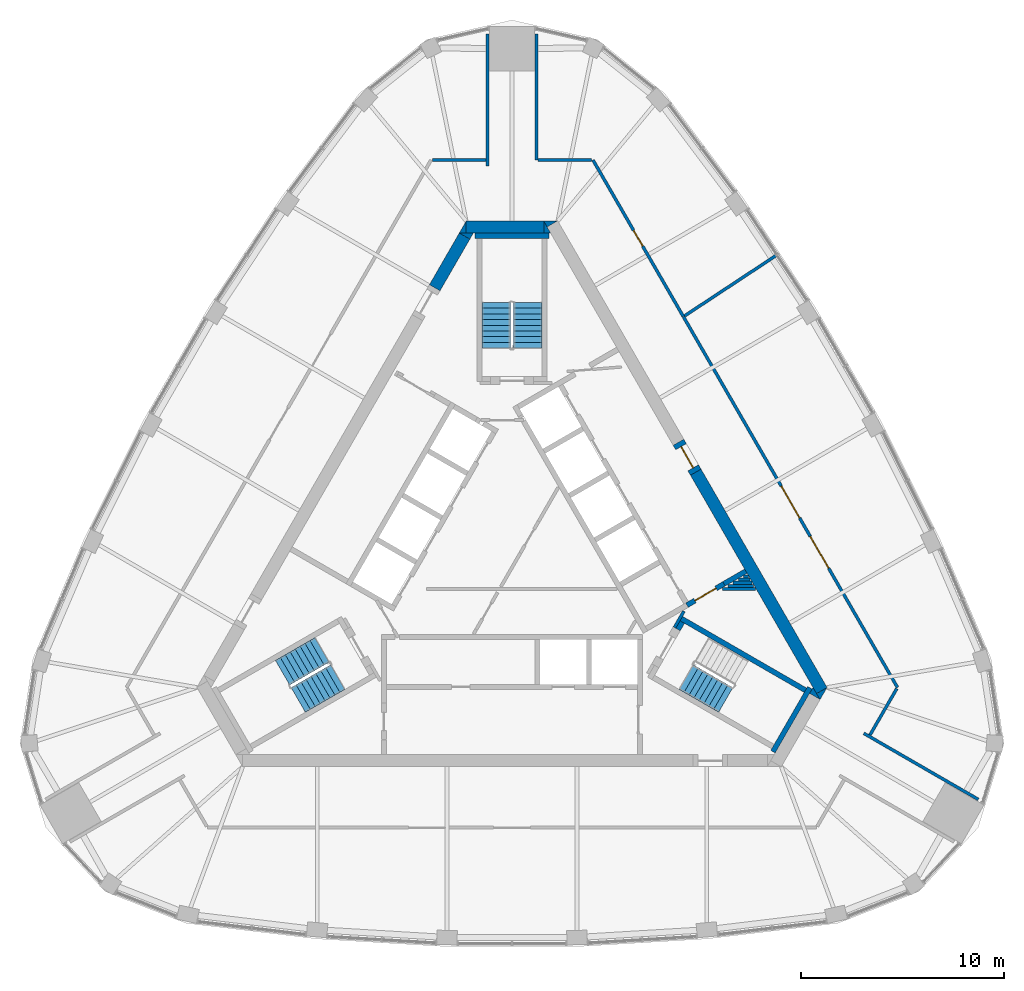
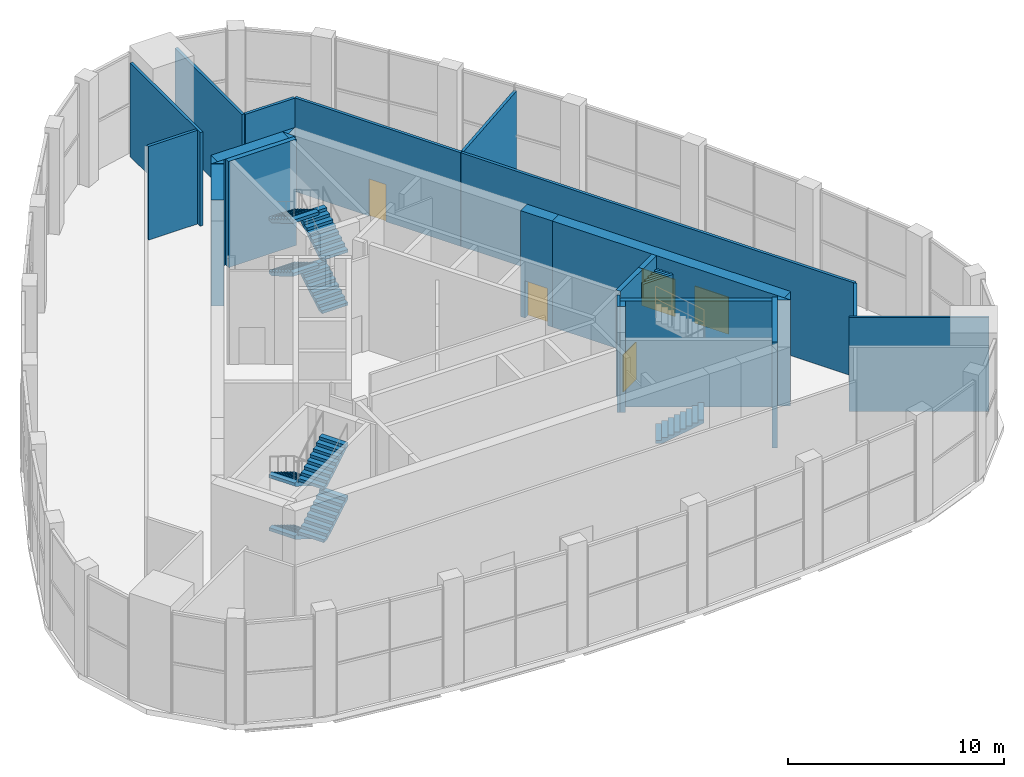
# One storey, part 12 of 15: 31 walls, 9 stair flights, 5 doors, 5 openings, 3 elements without a shape of their own.
"""IFC4 building model written with IfcOpenShell, lengths in metres."""

from ifc_helpers import new_model, si_unit, direction, frame, frame_2d, origin, place, context, subcontext, project, spatial, polyline, rectangle, outline, extrude, material, layer, layer_set, type_object, element, fill, aggregate, save


model = new_model("IFC4")

# Units and contexts
model_context = context("Model", 3, precision=1e-05, world=origin(), true_north=direction((0.0, 1.0)))
body_context = subcontext(model_context, "Body", "Model", "MODEL_VIEW")
ifc_project = project(units=[si_unit("LENGTHUNIT", "METRE"), si_unit("AREAUNIT", "SQUARE_METRE"), si_unit("VOLUMEUNIT", "CUBIC_METRE"), si_unit("PLANEANGLEUNIT", "RADIAN"), si_unit("MASSUNIT", "GRAM", prefix="KILO")], contexts=[model_context])

# Site, building, storey
site_placement = place(None, origin())
site = spatial("IfcSite", under=ifc_project, at=site_placement, CompositionType="ELEMENT")
building_placement = place(site_placement, origin())
building = spatial("IfcBuilding", under=site, at=building_placement, Name="Mestral Congress Tower", CompositionType="ELEMENT")
storey_placement = place(building_placement, frame((0.0, 0.0, 321.60009765625)))
storey = spatial("IfcBuildingStorey", under=building, at=storey_placement, Name="L75", CompositionType="ELEMENT", Elevation=321.60009765625)

# Walls
ifc_material_1 = material(Name="Fire-rated board partition")
ifc_layer_1 = layer(ifc_material_1, 0.14990234375)
ifc_layer_set_1 = layer_set([ifc_layer_1], Name="Fire-rated board partition")
wall_type_1 = type_object("IfcWallType", Name="Core partition 150", PredefinedType="PARTITIONING", material=ifc_layer_set_1)
wall_1_placement = place(storey_placement, frame((10.3623046875, -1.5, 0.0), z_axis=(0.0, 0.0, 1.0), x_axis=(1.0, 0.0, 0.0)))
element("IfcWall", 1, at=wall_1_placement, inside=storey, type_object=wall_type_1, Name="L75 core wall", PredefinedType="PARTITIONING", context=body_context, shape_type="SweptSolid", body=[
    extrude(rectangle(XDim=1.60986328125, YDim=0.14990234375, at=frame_2d((0.804931640625, 0.0))), origin(), (0.0, 0.0, 1.0), 5.2998046875),
])
wall_2_placement = place(storey_placement, frame((10.6220703125, -1.35009765625, 0.0), z_axis=(0.0, 0.0, 1.0), x_axis=(1.0, 0.0, 0.0)))
element("IfcWall", 2, at=wall_2_placement, inside=storey, type_object=wall_type_1, Name="L75 core wall", PredefinedType="PARTITIONING", context=body_context, shape_type="SweptSolid", body=[
    extrude(rectangle(XDim=1.263427734375, YDim=0.14990234375, at=frame_2d((0.6318359375, 0.0))), origin(), (0.0, 0.0, 1.0), 5.2998046875),
])
wall_3_placement = place(storey_placement, frame((10.881591796875, -1.199951171875, 0.0), z_axis=(0.0, 0.0, 1.0), x_axis=(1.0, 0.0, 0.0)))
element("IfcWall", 3, at=wall_3_placement, inside=storey, type_object=wall_type_1, Name="L75 core wall", PredefinedType="PARTITIONING", context=body_context, shape_type="SweptSolid", body=[
    extrude(rectangle(XDim=0.91748046875, YDim=0.14990234375, at=frame_2d((0.458740234375, 0.0))), origin(), (0.0, 0.0, 1.0), 5.2998046875),
])
wall_4_placement = place(storey_placement, frame((11.71240234375, -1.050048828125, 0.0), z_axis=(0.0, 0.0, 1.0), x_axis=(-1.0, 0.0, 0.0)))
element("IfcWall", 4, at=wall_4_placement, inside=storey, type_object=wall_type_1, Name="L75 core wall", PredefinedType="PARTITIONING", context=body_context, shape_type="SweptSolid", body=[
    extrude(rectangle(XDim=0.57080078125, YDim=0.14990234375, at=frame_2d((0.285400390625, 0.0))), origin(), (0.0, 0.0, 1.0), 5.2998046875),
])
wall_5_placement = place(storey_placement, frame((11.4013671875, -0.89990234375, 0.0), z_axis=(0.0, 0.0, 1.0), x_axis=(1.0, 0.0, 0.0)))
element("IfcWall", 5, at=wall_5_placement, inside=storey, type_object=wall_type_1, Name="L75 core wall", PredefinedType="PARTITIONING", context=body_context, shape_type="SweptSolid", body=[
    extrude(rectangle(XDim=0.224365234375, YDim=0.14990234375, at=frame_2d((0.1123046875, 0.0))), origin(), (0.0, 0.0, 1.0), 5.2998046875),
])
ifc_material_2 = material(Name="Concrete C60/75", Category="concrete")
ifc_layer_2 = layer(ifc_material_2, 0.60009765625)
ifc_layer_set_2 = layer_set([ifc_layer_2], Name="Concrete C60/75")
wall_type_2 = type_object("IfcWallType", Name="Core wall RC 600", PredefinedType="SOLIDWALL", material=ifc_layer_set_2)
wall_6_placement = place(storey_placement, frame((9.0419921875, 4.23876953125, 0.0), z_axis=(0.0, 0.0, 1.0), x_axis=(0.500005785455, -0.866022063525, 0.0)))
element("IfcWall", 6, at=wall_6_placement, inside=storey, type_object=wall_type_2, Name="L75 core wall", PredefinedType="SOLIDWALL", context=body_context, shape_type="SweptSolid", body=[
    extrude(rectangle(XDim=12.406494140625, YDim=0.60009765625, at=frame_2d((6.203125, 0.0))), origin(), (0.0, 0.0, 1.0), 6.0),
])
placement = place(storey_placement, origin())
element("IfcWall", 7, at=placement, inside=storey, type_object=wall_type_2, Name="L75 core wall", PredefinedType="SOLIDWALL", context=body_context, shape_type="SweptSolid", body=[
    extrude(outline(polyline([(15.155517578125, -6.949951171875), (14.986572265625, -6.6572265625), (15.493408203125, -6.364501953125), (15.155517578125, -6.949951171875)])), origin(), (0.0, 0.0, 1.0), 6.0),
])
element("IfcWall", 8, at=placement, inside=storey, type_object=wall_type_2, Name="L75 core wall", PredefinedType="SOLIDWALL", context=body_context, shape_type="SweptSolid", body=[
    extrude(outline(polyline([(14.80908203125, -6.35009765625), (15.147216796875, -6.935791015625), (14.639892578125, -6.642822265625), (14.80908203125, -6.35009765625)])), origin(), (0.0, 0.0, 1.0), 6.0),
])
element("IfcWall", 9, at=placement, inside=storey, type_object=wall_type_2, Name="L75 core wall", PredefinedType="SOLIDWALL", context=body_context, shape_type="SweptSolid", body=[
    extrude(outline(polyline([(1.558837890625, 16.60009765625), (2.23486328125, 16.60009765625), (1.727783203125, 16.307373046875), (1.558837890625, 16.60009765625)])), origin(), (0.0, 0.0, 1.0), 6.0),
])
wall_10_placement = place(storey_placement, frame((-2.258056640625, 16.300048828125, 0.0), z_axis=(0.0, 0.0, 1.0), x_axis=(1.0, 0.0, 0.0)))
element("IfcWall", 10, at=wall_10_placement, inside=storey, type_object=wall_type_2, Name="L75 core wall", PredefinedType="SOLIDWALL", context=body_context, shape_type="SweptSolid", body=[
    extrude(rectangle(XDim=3.8232421875, YDim=0.60009765625, at=frame_2d((1.91162109375, 0.0))), origin(), (0.0, 0.0, 1.0), 6.0),
])
element("IfcWall", 11, at=placement, inside=storey, type_object=wall_type_2, Name="L75 core wall", PredefinedType="SOLIDWALL", context=body_context, shape_type="SweptSolid", body=[
    extrude(outline(polyline([(1.9052734375, 16.0), (1.5673828125, 16.0), (1.5673828125, 16.58544921875), (1.9052734375, 16.0)])), origin(), (0.0, 0.0, 1.0), 6.0),
])
element("IfcWall", 12, at=placement, inside=storey, type_object=wall_type_2, Name="L75 core wall", PredefinedType="SOLIDWALL", context=body_context, shape_type="SweptSolid", body=[
    extrude(outline(polyline([(-2.59814453125, 16.0), (-2.260009765625, 16.58544921875), (-2.260009765625, 16.0), (-2.59814453125, 16.0)])), origin(), (0.0, 0.0, 1.0), 6.0),
])
wall_13_placement = place(storey_placement, frame((-2.335205078125, 15.85546875, 0.0), z_axis=(0.0, 0.0, 1.0), x_axis=(-0.499960127962, -0.866048422692, 0.0)))
element("IfcWall", 13, at=wall_13_placement, inside=storey, type_object=wall_type_2, Name="L75 core wall", PredefinedType="SOLIDWALL", context=body_context, shape_type="SweptSolid", body=[
    extrude(rectangle(XDim=2.934326171875, YDim=0.60009765625, at=frame_2d((1.46728515625, 0.0))), origin(), (0.0, 0.0, 1.0), 6.0),
])
element("IfcWall", 14, at=placement, inside=storey, type_object=wall_type_2, Name="L75 core wall", PredefinedType="SOLIDWALL", context=body_context, shape_type="SweptSolid", body=[
    extrude(outline(polyline([(-1.9052734375, 16.0), (-2.07421875, 15.707275390625), (-2.581298828125, 16.0), (-1.9052734375, 16.0)])), origin(), (0.0, 0.0, 1.0), 6.0),
])

# Wall, opening, door
wall_15_placement = place(storey_placement, frame((8.19189453125, 5.711181640625, 0.0), z_axis=(0.0, 0.0, 1.0), x_axis=(0.500062241894, -0.865989465428, 0.0)))
wall_15 = element("IfcWall", 15, at=wall_15_placement, inside=storey, type_object=wall_type_2, Name="L75 door wall", PredefinedType="SOLIDWALL", context=body_context, shape_type="SweptSolid", body=[
    extrude(rectangle(XDim=1.699951171875, YDim=0.60009765625, at=frame_2d((0.85009765625, 0.0))), origin(), (0.0, 0.0, 1.0), 6.0),
])
opening_1_placement = place(wall_15_placement, frame((0.25, 0.0, 0.0)))
opening_1 = element("IfcOpeningElement", 16, at=opening_1_placement, cuts=wall_15, Name="Opening XDL", PredefinedType="OPENING", context=body_context, shape_type="SweptSolid", body=[
    extrude(rectangle(XDim=1.199951171875, YDim=2.10009765625, at=frame_2d((0.60009765625, 1.050048828125))), frame((0.0, 0.31005859375, 0.0), z_axis=(0.0, -1.0, 0.0), x_axis=(1.0, 0.0, 0.0)), (0.0, 0.0, 1.0), 0.6201171875),
])
ifc_material_3 = material(Name="Fire-rated steel door set", Category="steel")
door_type_1 = type_object("IfcDoorType", Name="Core door XD 1200x2100", OperationType="SINGLE_SWING_LEFT", PredefinedType="DOOR", material=ifc_material_3)
door_1_placement = place(opening_1_placement, origin())
door_1 = element("IfcDoor", 17, at=door_1_placement, inside=storey, type_object=door_type_1, Name="Door XDL", OperationType="SINGLE_SWING_LEFT", OverallHeight=2.10009765625, OverallWidth=1.199951171875, PredefinedType="DOOR", context=body_context, shape_type="SweptSolid", body=[
    extrude(rectangle(XDim=1.199951171875, YDim=2.10009765625, at=frame_2d((0.60009765625, 1.050048828125))), frame((0.0, 0.02490234375, 0.0), z_axis=(0.0, -1.0, 0.0), x_axis=(1.0, 0.0, 0.0)), (0.0, 0.0, 1.0), 0.050048828125),
])
fill(opening_1, door_1)

# Wall
ifc_layer_3 = layer(ifc_material_2, 0.25)
ifc_layer_set_3 = layer_set([ifc_layer_3], Name="Concrete C60/75")
wall_type_3 = type_object("IfcWallType", Name="Shaft wall RC 250", PredefinedType="SOLIDWALL", material=ifc_layer_set_3)
wall_16_placement = place(storey_placement, frame((11.507080078125, -0.631103515625, 0.0), z_axis=(0.0, 0.0, 1.0), x_axis=(-0.866025525965, -0.499999788377, 0.0)))
element("IfcWall", 18, at=wall_16_placement, inside=storey, type_object=wall_type_3, Name="L75 core wall", PredefinedType="SOLIDWALL", context=body_context, shape_type="SweptSolid", body=[
    extrude(rectangle(XDim=1.24462890625, YDim=0.25, at=frame_2d((0.622314453125, 0.0))), origin(), (0.0, 0.0, 1.0), 6.0),
])

# Wall, opening, door
wall_17_placement = place(storey_placement, frame((10.42919921875, -1.25341796875, 0.0), z_axis=(0.0, 0.0, 1.0), x_axis=(-0.866009402589, -0.500027713859, 0.0)))
wall_17 = element("IfcWall", 19, at=wall_17_placement, inside=storey, type_object=wall_type_3, Name="L75 door wall", PredefinedType="SOLIDWALL", context=body_context, shape_type="SweptSolid", body=[
    extrude(rectangle(XDim=2.10009765625, YDim=0.25, at=frame_2d((1.050048828125, 0.0))), origin(), (0.0, 0.0, 1.0), 6.0),
])
opening_2_placement = place(wall_17_placement, frame((0.449951171875, 0.0, 0.0)))
opening_2 = element("IfcOpeningElement", 20, at=opening_2_placement, cuts=wall_17, Name="Opening LB1-PX10", PredefinedType="OPENING", context=body_context, shape_type="SweptSolid", body=[
    extrude(rectangle(XDim=1.199951171875, YDim=2.10009765625, at=frame_2d((0.60009765625, 1.050048828125))), frame((0.0, 0.135009765625, 0.0), z_axis=(0.0, -1.0, 0.0), x_axis=(1.0, 0.0, 0.0)), (0.0, 0.0, 1.0), 0.27001953125),
])
door_type_2 = type_object("IfcDoorType", Name="Core door LB 1200x2100", OperationType="SINGLE_SWING_LEFT", PredefinedType="DOOR", material=ifc_material_3)
door_2_placement = place(opening_2_placement, origin())
door_2 = element("IfcDoor", 21, at=door_2_placement, inside=storey, type_object=door_type_2, Name="Door LB1-PX10", OperationType="SINGLE_SWING_LEFT", OverallHeight=2.10009765625, OverallWidth=1.199951171875, PredefinedType="DOOR", context=body_context, shape_type="SweptSolid", body=[
    extrude(rectangle(XDim=1.199951171875, YDim=2.10009765625, at=frame_2d((0.60009765625, 1.050048828125))), frame((0.0, 0.02490234375, 0.0), z_axis=(0.0, -1.0, 0.0), x_axis=(1.0, 0.0, 0.0)), (0.0, 0.0, 1.0), 0.050048828125),
])
fill(opening_2, door_2)

# Wall
ifc_layer_4 = layer(ifc_material_2, 0.14990234375)
ifc_layer_set_4 = layer_set([ifc_layer_4], Name="Concrete C60/75")
wall_type_4 = type_object("IfcWallType", Name="Shaft wall RC 250 door-wall 150", PredefinedType="SOLIDWALL", material=ifc_layer_set_4)
wall_18_placement = place(storey_placement, frame((8.459228515625, -2.59912109375, 0.0), z_axis=(0.0, 0.0, 1.0), x_axis=(-0.500041054325, -0.866001699761, 0.0)))
element("IfcWall", 22, at=wall_18_placement, inside=storey, type_object=wall_type_4, Name="L75 core wall", PredefinedType="PARTITIONING", context=body_context, shape_type="SweptSolid", body=[
    extrude(rectangle(XDim=0.9287109375, YDim=0.14990234375, at=frame_2d((0.46435546875, 0.0))), origin(), (0.0, 0.0, 1.0), 6.0),
])

# Wall, opening, door
ifc_layer_5 = layer(ifc_material_1, 0.14990234375)
ifc_layer_set_5 = layer_set([ifc_layer_5], Name="Fire-rated board partition")
wall_type_5 = type_object("IfcWallType", Name="Special partition 150 EI 120", PredefinedType="PARTITIONING", material=ifc_layer_set_5)
wall_19_placement = place(storey_placement, frame((8.428955078125, 11.900634765625, 0.0), z_axis=(0.0, 0.0, 1.0), x_axis=(-0.500002153468, 0.866024160475, 0.0)))
wall_19 = element("IfcWall", 23, at=wall_19_placement, inside=storey, type_object=wall_type_5, Name="Partition", PredefinedType="PARTITIONING", context=body_context, shape_type="SweptSolid", body=[
    extrude(rectangle(XDim=8.890625, YDim=0.14990234375, at=frame_2d((4.4453125, 0.0))), origin(), (0.0, 0.0, 1.0), 5.2998046875),
])
opening_3_placement = place(wall_19_placement, frame((3.995361328125, 0.0, 0.0)))
opening_3 = element("IfcOpeningElement", 24, at=opening_3_placement, cuts=wall_19, Name="Opening T75-007", PredefinedType="OPENING", context=body_context, shape_type="SweptSolid", body=[
    extrude(rectangle(XDim=0.89990234375, YDim=2.10009765625, at=frame_2d((0.449951171875, 1.050048828125))), frame((0.0, 0.0849609375, 0.0), z_axis=(0.0, -1.0, 0.0), x_axis=(1.0, 0.0, 0.0)), (0.0, 0.0, 1.0), 0.169921875),
])
ifc_material_4 = material(Name="Timber door set", Category="wood")
door_type_3 = type_object("IfcDoorType", Name="Room door 900x2100", OperationType="SINGLE_SWING_LEFT", PredefinedType="DOOR", material=ifc_material_4)
door_3_placement = place(opening_3_placement, origin())
door_3 = element("IfcDoor", 25, at=door_3_placement, inside=storey, type_object=door_type_3, Name="Door T75-007", OperationType="SINGLE_SWING_RIGHT", OverallHeight=2.10009765625, OverallWidth=0.89990234375, PredefinedType="DOOR", context=body_context, shape_type="SweptSolid", body=[
    extrude(rectangle(XDim=0.89990234375, YDim=2.10009765625, at=frame_2d((0.449951171875, 1.050048828125))), frame((0.0, 0.02490234375, 0.0), z_axis=(0.0, -1.0, 0.0), x_axis=(1.0, 0.0, 0.0)), (0.0, 0.0, 1.0), 0.050048828125),
])
fill(opening_3, door_3)

# Walls
wall_20_placement = place(storey_placement, frame((1.199951171875, 25.805419921875, 0.0), z_axis=(0.0, 0.0, 1.0), x_axis=(0.0, -1.0, 0.0)))
element("IfcWall", 26, at=wall_20_placement, inside=storey, type_object=wall_type_5, Name="Partition", PredefinedType="PARTITIONING", context=body_context, shape_type="SweptSolid", body=[
    extrude(rectangle(XDim=6.205322265625, YDim=0.14990234375, at=frame_2d((3.1025390625, 0.0))), origin(), (0.0, 0.0, 1.0), 5.2998046875),
])
wall_21_placement = place(storey_placement, frame((8.500732421875, 11.93603515625, 0.0), z_axis=(0.0, 0.0, 1.0), x_axis=(0.834652716189, 0.550776582071, 0.0)))
element("IfcWall", 27, at=wall_21_placement, inside=storey, type_object=wall_type_5, Name="Partition", PredefinedType="PARTITIONING", context=body_context, shape_type="SweptSolid", body=[
    extrude(rectangle(XDim=5.493896484375, YDim=0.14990234375, at=frame_2d((2.7470703125, 0.0))), origin(), (0.0, 0.0, 1.0), 5.2998046875),
])
wall_22_placement = place(storey_placement, frame((1.280029296875, 19.60009765625, 0.0), z_axis=(0.0, 0.0, 1.0), x_axis=(1.0, 0.0, 0.0)))
element("IfcWall", 28, at=wall_22_placement, inside=storey, type_object=wall_type_5, Name="Partition", PredefinedType="PARTITIONING", context=body_context, shape_type="SweptSolid", body=[
    extrude(rectangle(XDim=2.6337890625, YDim=0.14990234375, at=frame_2d((1.31689453125, 0.0))), origin(), (0.0, 0.0, 1.0), 5.2998046875),
])

# Wall, openings, doors
ifc_layer_6 = layer(ifc_material_1, 0.14990234375)
ifc_layer_set_6 = layer_set([ifc_layer_6], Name="Fire-rated board partition")
wall_type_6 = type_object("IfcWallType", Name="Special partition 150 EI 180", PredefinedType="PARTITIONING", material=ifc_layer_set_6)
wall_23_placement = place(storey_placement, frame((18.966064453125, -6.35009765625, 0.0), z_axis=(0.0, 0.0, 1.0), x_axis=(-0.499998353063, 0.866026354642, 0.0)))
wall_23 = element("IfcWall", 29, at=wall_23_placement, inside=storey, type_object=wall_type_6, Name="Partition", PredefinedType="PARTITIONING", context=body_context, shape_type="SweptSolid", body=[
    extrude(rectangle(XDim=21.064453125, YDim=0.14990234375, at=frame_2d((10.5322265625, 0.0))), origin(), (0.0, 0.0, 1.0), 5.2998046875),
])
opening_4_placement = place(wall_23_placement, frame((9.632080078125, 0.0, 0.0)))
opening_4 = element("IfcOpeningElement", 30, at=opening_4_placement, cuts=wall_23, Name="Opening T75-005", PredefinedType="OPENING", context=body_context, shape_type="SweptSolid", body=[
    extrude(rectangle(XDim=1.800048828125, YDim=2.10009765625, at=frame_2d((0.89990234375, 1.050048828125))), frame((0.0, 0.0849609375, 0.0), z_axis=(0.0, -1.0, 0.0), x_axis=(1.0, 0.0, 0.0)), (0.0, 0.0, 1.0), 0.169921875),
])
opening_5_placement = place(wall_23_placement, frame((6.778564453125, 0.0, 0.0)))
opening_5 = element("IfcOpeningElement", 31, at=opening_5_placement, cuts=wall_23, Name="Opening T75-006", PredefinedType="OPENING", context=body_context, shape_type="SweptSolid", body=[
    extrude(rectangle(XDim=1.800048828125, YDim=2.10009765625, at=frame_2d((0.89990234375, 1.050048828125))), frame((0.0, 0.0849609375, 0.0), z_axis=(0.0, -1.0, 0.0), x_axis=(1.0, 0.0, 0.0)), (0.0, 0.0, 1.0), 0.169921875),
])
door_type_4 = type_object("IfcDoorType", Name="Assembly double door 1800x2100", OperationType="DOUBLE_DOOR_SINGLE_SWING", PredefinedType="DOOR", material=ifc_material_3)
door_4_placement = place(opening_4_placement, origin())
door_4 = element("IfcDoor", 32, at=door_4_placement, inside=storey, type_object=door_type_4, Name="Door T75-005", OperationType="DOUBLE_DOOR_SINGLE_SWING", OverallHeight=2.10009765625, OverallWidth=1.800048828125, PredefinedType="DOOR", context=body_context, shape_type="SweptSolid", body=[
    extrude(rectangle(XDim=1.800048828125, YDim=2.10009765625, at=frame_2d((0.89990234375, 1.050048828125))), frame((0.0, 0.02490234375, 0.0), z_axis=(0.0, -1.0, 0.0), x_axis=(1.0, 0.0, 0.0)), (0.0, 0.0, 1.0), 0.050048828125),
])
fill(opening_4, door_4)
door_5_placement = place(opening_5_placement, origin())
door_5 = element("IfcDoor", 33, at=door_5_placement, inside=storey, type_object=door_type_4, Name="Door T75-006", OperationType="DOUBLE_DOOR_SINGLE_SWING", OverallHeight=2.10009765625, OverallWidth=1.800048828125, PredefinedType="DOOR", context=body_context, shape_type="SweptSolid", body=[
    extrude(rectangle(XDim=1.800048828125, YDim=2.10009765625, at=frame_2d((0.89990234375, 1.050048828125))), frame((0.0, 0.02490234375, 0.0), z_axis=(0.0, -1.0, 0.0), x_axis=(1.0, 0.0, 0.0)), (0.0, 0.0, 1.0), 0.050048828125),
])
fill(opening_5, door_5)

# Walls
wall_24_placement = place(storey_placement, frame((-1.199951171875, 19.300048828125, 0.0), z_axis=(0.0, 0.0, 1.0), x_axis=(0.0, 1.0, 0.0)))
element("IfcWall", 34, at=wall_24_placement, inside=storey, type_object=wall_type_6, Name="Partition", PredefinedType="PARTITIONING", context=body_context, shape_type="SweptSolid", body=[
    extrude(rectangle(XDim=6.50537109375, YDim=0.14990234375, at=frame_2d((3.252685546875, 0.0))), origin(), (0.0, 0.0, 1.0), 5.2998046875),
])
wall_25_placement = place(storey_placement, frame((17.314208984375, -8.61083984375, 0.0), z_axis=(0.0, 0.0, 1.0), x_axis=(0.866040594951, -0.499973687205, 0.0)))
element("IfcWall", 35, at=wall_25_placement, inside=storey, type_object=wall_type_6, Name="Partition", PredefinedType="PARTITIONING", context=body_context, shape_type="SweptSolid", body=[
    extrude(rectangle(XDim=6.505126953125, YDim=0.14990234375, at=frame_2d((3.25244140625, 0.0))), origin(), (0.0, 0.0, 1.0), 5.2998046875),
])
wall_26_placement = place(storey_placement, frame((-3.913818359375, 19.60009765625, 0.0), z_axis=(0.0, 0.0, 1.0), x_axis=(1.0, 0.0, 0.0)))
element("IfcWall", 36, at=wall_26_placement, inside=storey, type_object=wall_type_6, Name="Partition", PredefinedType="PARTITIONING", context=body_context, shape_type="SweptSolid", body=[
    extrude(rectangle(XDim=2.6337890625, YDim=0.14990234375, at=frame_2d((1.31689453125, 0.0))), origin(), (0.0, 0.0, 1.0), 5.2998046875),
])
wall_27_placement = place(storey_placement, frame((18.930908203125, -6.41064453125, 0.0), z_axis=(0.0, 0.0, 1.0), x_axis=(-0.500027377864, -0.86600959659, 0.0)))
element("IfcWall", 37, at=wall_27_placement, inside=storey, type_object=wall_type_6, Name="Partition", PredefinedType="PARTITIONING", context=body_context, shape_type="SweptSolid", body=[
    extrude(rectangle(XDim=2.633544921875, YDim=0.14990234375, at=frame_2d((1.31689453125, 0.0))), origin(), (0.0, 0.0, 1.0), 5.2998046875),
])
ifc_layer_7 = layer(ifc_material_2, 0.25)
ifc_layer_set_7 = layer_set([ifc_layer_7], Name="Concrete C60/75")
wall_type_7 = type_object("IfcWallType", Name="Stair wall RC 250", PredefinedType="SOLIDWALL", material=ifc_layer_set_7)
wall_28_placement = place(storey_placement, frame((12.839599609375, -9.510986328125, 0.0), z_axis=(0.0, 0.0, 1.0), x_axis=(0.500048121057, 0.865997619297, 0.0)))
element("IfcWall", 38, at=wall_28_placement, inside=storey, type_object=wall_type_7, Name="L75 core wall", PredefinedType="SOLIDWALL", context=body_context, shape_type="SweptSolid", body=[
    extrude(rectangle(XDim=3.634033203125, YDim=0.25, at=frame_2d((1.81689453125, 0.0))), origin(), (0.0, 0.0, 1.0), 6.0),
])
wall_29_placement = place(storey_placement, frame((8.33447265625, -2.96435546875, 0.0), z_axis=(0.0, 0.0, 1.0), x_axis=(0.866016039709, -0.500016218704, 0.0)))
element("IfcWall", 39, at=wall_29_placement, inside=storey, type_object=wall_type_7, Name="L75 core wall", PredefinedType="SOLIDWALL", context=body_context, shape_type="SweptSolid", body=[
    extrude(rectangle(XDim=7.050048828125, YDim=0.25, at=frame_2d((3.52490234375, 0.0))), origin(), (0.0, 0.0, 1.0), 6.0),
])
wall_30_placement = place(storey_placement, frame((8.167724609375, -3.503173828125, 0.0), z_axis=(0.0, 0.0, 1.0), x_axis=(0.49972245349, 0.866185586049, 0.0)))
element("IfcWall", 40, at=wall_30_placement, inside=storey, type_object=wall_type_7, Name="L75 core wall", PredefinedType="SOLIDWALL", context=body_context, shape_type="SweptSolid", body=[
    extrude(rectangle(XDim=0.425048828125, YDim=0.25, at=frame_2d((0.21240234375, 0.0))), origin(), (0.0, 0.0, 1.0), 6.0),
])
wall_31_placement = place(storey_placement, frame((-1.81689453125, 15.875, 0.0), z_axis=(0.0, 0.0, 1.0), x_axis=(1.0, 0.0, 0.0)))
element("IfcWall", 41, at=wall_31_placement, inside=storey, type_object=wall_type_7, Name="L75 core wall", PredefinedType="SOLIDWALL", context=body_context, shape_type="SweptSolid", body=[
    extrude(rectangle(XDim=3.6337890625, YDim=0.25, at=frame_2d((1.81689453125, 0.0))), origin(), (0.0, 0.0, 1.0), 6.0),
])

# Stair, stair flight
stair_type = type_object("IfcStairType", Name="Exit stair 1400", PredefinedType="HALF_TURN_STAIR", material=ifc_material_2)
stair_1 = element("IfcStair", 42, at=placement, inside=storey, type_object=stair_type, Name="L75 ST1", PredefinedType="HALF_TURN_STAIR")
stair_flight_type = type_object("IfcStairFlightType", Name="Exit stair flight 1400", PredefinedType="STRAIGHT", material=ifc_material_2)
stair_flight_1_placement = place(storey_placement, frame((8.575927734375, -5.84619140625, 0.0), z_axis=(0.0, 0.0, 1.0), x_axis=(0.866025403784, -0.5, 0.0)))
stair_flight_1 = element("IfcStairFlight", 43, at=stair_flight_1_placement, type_object=stair_flight_type, Name="ST1 flight 1", NumberOfRisers=9, NumberOfTreads=8, PredefinedType="STRAIGHT", RiserHeight=0.166666667, TreadLength=0.28, context=body_context, shape_type="SweptSolid", body=[
    extrude(outline(polyline([(0.0, 0.0), (0.0, 0.166748046875), (0.280029296875, 0.166748046875), (0.280029296875, 0.333251953125), (0.56005859375, 0.333251953125), (0.56005859375, 0.5), (0.840087890625, 0.5), (0.840087890625, 0.666748046875), (1.1201171875, 0.666748046875), (1.1201171875, 0.833251953125), (1.39990234375, 0.833251953125), (1.39990234375, 1.0), (1.679931640625, 1.0), (1.679931640625, 1.166748046875), (1.9599609375, 1.166748046875), (1.9599609375, 1.333251953125), (2.239990234375, 1.333251953125), (2.239990234375, 1.5), (2.239990234375, 1.158935546875), (0.29296875, 0.0), (0.0, 0.0)])), frame((0.0, 0.699951171875, 0.0), z_axis=(0.0, -1.0, 0.0), x_axis=(1.0, 0.0, 0.0)), (0.0, 0.0, 1.0), 1.39990234375),
])
aggregate(stair_1, [stair_flight_1])

# Stair, stair flights
stair_2 = element("IfcStair", 44, at=placement, inside=storey, type_object=stair_type, Name="L75 ST2", PredefinedType="HALF_TURN_STAIR")
stair_flight_2_placement = place(storey_placement, frame((0.77490234375, 10.35009765625, 0.0), z_axis=(0.0, 0.0, 1.0), x_axis=(0.0, 1.0, 0.0)))
stair_flight_2 = element("IfcStairFlight", 45, at=stair_flight_2_placement, type_object=stair_flight_type, Name="ST2 flight 1", NumberOfRisers=9, NumberOfTreads=8, PredefinedType="STRAIGHT", RiserHeight=0.166666667, TreadLength=0.28, context=body_context, shape_type="SweptSolid", body=[
    extrude(outline(polyline([(0.0, 0.0), (0.0, 0.166748046875), (0.280029296875, 0.166748046875), (0.280029296875, 0.333251953125), (0.56005859375, 0.333251953125), (0.56005859375, 0.5), (0.840087890625, 0.5), (0.840087890625, 0.666748046875), (1.1201171875, 0.666748046875), (1.1201171875, 0.833251953125), (1.39990234375, 0.833251953125), (1.39990234375, 1.0), (1.679931640625, 1.0), (1.679931640625, 1.166748046875), (1.9599609375, 1.166748046875), (1.9599609375, 1.333251953125), (2.239990234375, 1.333251953125), (2.239990234375, 1.5), (2.239990234375, 1.158935546875), (0.29296875, 0.0), (0.0, 0.0)])), frame((0.0, 0.699951171875, 0.0), z_axis=(0.0, -1.0, 0.0), x_axis=(1.0, 0.0, 0.0)), (0.0, 0.0, 1.0), 1.39990234375),
])
stair_flight_3_placement = place(storey_placement, frame((-0.77490234375, 12.590087890625, 1.5), z_axis=(0.0, 0.0, 1.0), x_axis=(0.0, -1.0, 0.0)))
stair_flight_3 = element("IfcStairFlight", 46, at=stair_flight_3_placement, type_object=stair_flight_type, Name="ST2 flight 2", NumberOfRisers=9, NumberOfTreads=8, PredefinedType="STRAIGHT", RiserHeight=0.166666667, TreadLength=0.28, context=body_context, shape_type="SweptSolid", body=[
    extrude(outline(polyline([(0.0, 0.0), (0.0, 0.166748046875), (0.280029296875, 0.166748046875), (0.280029296875, 0.333251953125), (0.56005859375, 0.333251953125), (0.56005859375, 0.5), (0.840087890625, 0.5), (0.840087890625, 0.666748046875), (1.1201171875, 0.666748046875), (1.1201171875, 0.833251953125), (1.39990234375, 0.833251953125), (1.39990234375, 1.0), (1.679931640625, 1.0), (1.679931640625, 1.166748046875), (1.9599609375, 1.166748046875), (1.9599609375, 1.333251953125), (2.239990234375, 1.333251953125), (2.239990234375, 1.5), (2.239990234375, 1.158935546875), (0.29296875, 0.0), (0.0, 0.0)])), frame((0.0, 0.699951171875, 0.0), z_axis=(0.0, -1.0, 0.0), x_axis=(1.0, 0.0, 0.0)), (0.0, 0.0, 1.0), 1.39990234375),
])
stair_flight_4_placement = place(storey_placement, frame((0.77490234375, 10.35009765625, 3.0), z_axis=(0.0, 0.0, 1.0), x_axis=(0.0, 1.0, 0.0)))
stair_flight_4 = element("IfcStairFlight", 47, at=stair_flight_4_placement, type_object=stair_flight_type, Name="ST2 flight 3", NumberOfRisers=9, NumberOfTreads=8, PredefinedType="STRAIGHT", RiserHeight=0.166666667, TreadLength=0.28, context=body_context, shape_type="SweptSolid", body=[
    extrude(outline(polyline([(0.0, 0.0), (0.0, 0.166748046875), (0.280029296875, 0.166748046875), (0.280029296875, 0.333251953125), (0.56005859375, 0.333251953125), (0.56005859375, 0.5), (0.840087890625, 0.5), (0.840087890625, 0.666748046875), (1.1201171875, 0.666748046875), (1.1201171875, 0.833251953125), (1.39990234375, 0.833251953125), (1.39990234375, 1.0), (1.679931640625, 1.0), (1.679931640625, 1.166748046875), (1.9599609375, 1.166748046875), (1.9599609375, 1.333251953125), (2.239990234375, 1.333251953125), (2.239990234375, 1.5), (2.239990234375, 1.158935546875), (0.29296875, 0.0), (0.0, 0.0)])), frame((0.0, 0.699951171875, 0.0), z_axis=(0.0, -1.0, 0.0), x_axis=(1.0, 0.0, 0.0)), (0.0, 0.0, 1.0), 1.39990234375),
])
stair_flight_5_placement = place(storey_placement, frame((-0.77490234375, 12.590087890625, 4.5), z_axis=(0.0, 0.0, 1.0), x_axis=(0.0, -1.0, 0.0)))
stair_flight_5 = element("IfcStairFlight", 48, at=stair_flight_5_placement, type_object=stair_flight_type, Name="ST2 flight 4", NumberOfRisers=9, NumberOfTreads=8, PredefinedType="STRAIGHT", RiserHeight=0.166666667, TreadLength=0.28, context=body_context, shape_type="SweptSolid", body=[
    extrude(outline(polyline([(0.0, 0.0), (0.0, 0.166748046875), (0.280029296875, 0.166748046875), (0.280029296875, 0.333251953125), (0.56005859375, 0.333251953125), (0.56005859375, 0.5), (0.840087890625, 0.5), (0.840087890625, 0.666748046875), (1.1201171875, 0.666748046875), (1.1201171875, 0.833251953125), (1.39990234375, 0.833251953125), (1.39990234375, 1.0), (1.679931640625, 1.0), (1.679931640625, 1.166748046875), (1.9599609375, 1.166748046875), (1.9599609375, 1.333251953125), (2.239990234375, 1.333251953125), (2.239990234375, 1.5), (2.239990234375, 1.158935546875), (0.29296875, 0.0), (0.0, 0.0)])), frame((0.0, 0.699951171875, 0.0), z_axis=(0.0, -1.0, 0.0), x_axis=(1.0, 0.0, 0.0)), (0.0, 0.0, 1.0), 1.39990234375),
])
aggregate(stair_2, [stair_flight_2, stair_flight_3, stair_flight_4, stair_flight_5])

stair_3 = element("IfcStair", 49, at=placement, inside=storey, type_object=stair_type, Name="L75 ST3", PredefinedType="HALF_TURN_STAIR")
stair_flight_6_placement = place(storey_placement, frame((-9.350830078125, -4.50390625, 0.0), z_axis=(0.0, 0.0, 1.0), x_axis=(-0.866025403784, -0.5, 0.0)))
stair_flight_6 = element("IfcStairFlight", 50, at=stair_flight_6_placement, type_object=stair_flight_type, Name="ST3 flight 1", NumberOfRisers=9, NumberOfTreads=8, PredefinedType="STRAIGHT", RiserHeight=0.166666667, TreadLength=0.28, context=body_context, shape_type="SweptSolid", body=[
    extrude(outline(polyline([(0.0, 0.0), (0.0, 0.166748046875), (0.280029296875, 0.166748046875), (0.280029296875, 0.333251953125), (0.56005859375, 0.333251953125), (0.56005859375, 0.5), (0.840087890625, 0.5), (0.840087890625, 0.666748046875), (1.1201171875, 0.666748046875), (1.1201171875, 0.833251953125), (1.39990234375, 0.833251953125), (1.39990234375, 1.0), (1.679931640625, 1.0), (1.679931640625, 1.166748046875), (1.9599609375, 1.166748046875), (1.9599609375, 1.333251953125), (2.239990234375, 1.333251953125), (2.239990234375, 1.5), (2.239990234375, 1.158935546875), (0.29296875, 0.0), (0.0, 0.0)])), frame((0.0, 0.699951171875, 0.0), z_axis=(0.0, -1.0, 0.0), x_axis=(1.0, 0.0, 0.0)), (0.0, 0.0, 1.0), 1.39990234375),
])
stair_flight_7_placement = place(storey_placement, frame((-10.515869140625, -6.966064453125, 1.5), z_axis=(0.0, 0.0, 1.0), x_axis=(0.866025403784, 0.5, 0.0)))
stair_flight_7 = element("IfcStairFlight", 51, at=stair_flight_7_placement, type_object=stair_flight_type, Name="ST3 flight 2", NumberOfRisers=9, NumberOfTreads=8, PredefinedType="STRAIGHT", RiserHeight=0.166666667, TreadLength=0.28, context=body_context, shape_type="SweptSolid", body=[
    extrude(outline(polyline([(0.0, 0.0), (0.0, 0.166748046875), (0.280029296875, 0.166748046875), (0.280029296875, 0.333251953125), (0.56005859375, 0.333251953125), (0.56005859375, 0.5), (0.840087890625, 0.5), (0.840087890625, 0.666748046875), (1.1201171875, 0.666748046875), (1.1201171875, 0.833251953125), (1.39990234375, 0.833251953125), (1.39990234375, 1.0), (1.679931640625, 1.0), (1.679931640625, 1.166748046875), (1.9599609375, 1.166748046875), (1.9599609375, 1.333251953125), (2.239990234375, 1.333251953125), (2.239990234375, 1.5), (2.239990234375, 1.158935546875), (0.29296875, 0.0), (0.0, 0.0)])), frame((0.0, 0.699951171875, 0.0), z_axis=(0.0, -1.0, 0.0), x_axis=(1.0, 0.0, 0.0)), (0.0, 0.0, 1.0), 1.39990234375),
])
stair_flight_8_placement = place(storey_placement, frame((-9.350830078125, -4.50390625, 3.0), z_axis=(0.0, 0.0, 1.0), x_axis=(-0.866025403784, -0.5, 0.0)))
stair_flight_8 = element("IfcStairFlight", 52, at=stair_flight_8_placement, type_object=stair_flight_type, Name="ST3 flight 3", NumberOfRisers=9, NumberOfTreads=8, PredefinedType="STRAIGHT", RiserHeight=0.166666667, TreadLength=0.28, context=body_context, shape_type="SweptSolid", body=[
    extrude(outline(polyline([(0.0, 0.0), (0.0, 0.166748046875), (0.280029296875, 0.166748046875), (0.280029296875, 0.333251953125), (0.56005859375, 0.333251953125), (0.56005859375, 0.5), (0.840087890625, 0.5), (0.840087890625, 0.666748046875), (1.1201171875, 0.666748046875), (1.1201171875, 0.833251953125), (1.39990234375, 0.833251953125), (1.39990234375, 1.0), (1.679931640625, 1.0), (1.679931640625, 1.166748046875), (1.9599609375, 1.166748046875), (1.9599609375, 1.333251953125), (2.239990234375, 1.333251953125), (2.239990234375, 1.5), (2.239990234375, 1.158935546875), (0.29296875, 0.0), (0.0, 0.0)])), frame((0.0, 0.699951171875, 0.0), z_axis=(0.0, -1.0, 0.0), x_axis=(1.0, 0.0, 0.0)), (0.0, 0.0, 1.0), 1.39990234375),
])
stair_flight_9_placement = place(storey_placement, frame((-10.515869140625, -6.966064453125, 4.5), z_axis=(0.0, 0.0, 1.0), x_axis=(0.866025403784, 0.5, 0.0)))
stair_flight_9 = element("IfcStairFlight", 53, at=stair_flight_9_placement, type_object=stair_flight_type, Name="ST3 flight 4", NumberOfRisers=9, NumberOfTreads=8, PredefinedType="STRAIGHT", RiserHeight=0.166666667, TreadLength=0.28, context=body_context, shape_type="SweptSolid", body=[
    extrude(outline(polyline([(0.0, 0.0), (0.0, 0.166748046875), (0.280029296875, 0.166748046875), (0.280029296875, 0.333251953125), (0.56005859375, 0.333251953125), (0.56005859375, 0.5), (0.840087890625, 0.5), (0.840087890625, 0.666748046875), (1.1201171875, 0.666748046875), (1.1201171875, 0.833251953125), (1.39990234375, 0.833251953125), (1.39990234375, 1.0), (1.679931640625, 1.0), (1.679931640625, 1.166748046875), (1.9599609375, 1.166748046875), (1.9599609375, 1.333251953125), (2.239990234375, 1.333251953125), (2.239990234375, 1.5), (2.239990234375, 1.158935546875), (0.29296875, 0.0), (0.0, 0.0)])), frame((0.0, 0.699951171875, 0.0), z_axis=(0.0, -1.0, 0.0), x_axis=(1.0, 0.0, 0.0)), (0.0, 0.0, 1.0), 1.39990234375),
])
aggregate(stair_3, [stair_flight_6, stair_flight_7, stair_flight_8, stair_flight_9])

save(model, "model.ifc")
